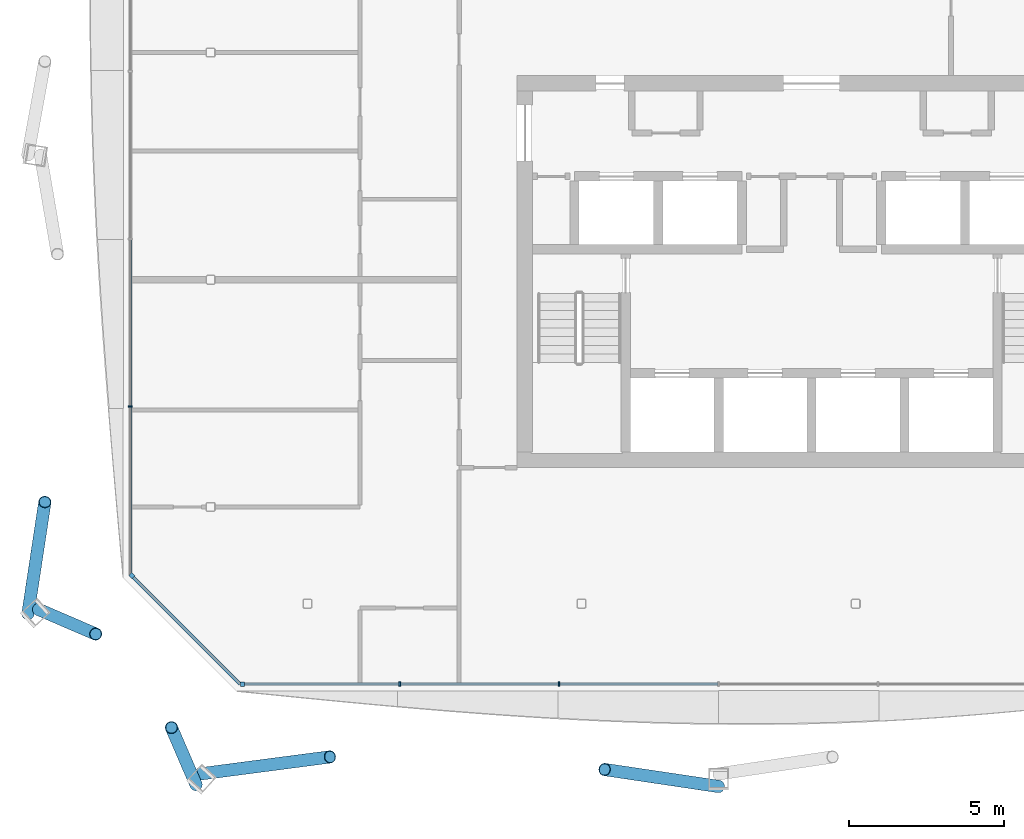
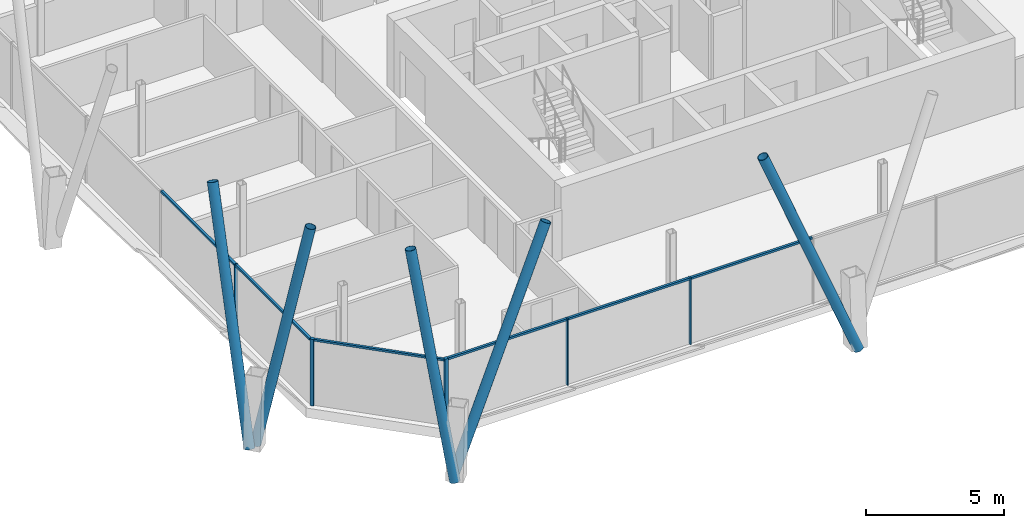
# One storey, part 4 of 18: 16 members, 3 elements without a shape of their own.
"""IFC4 building model written with IfcOpenShell, lengths in metres."""

from ifc_helpers import new_model, si_unit, direction, frame, origin, origin_2d, place, context, subcontext, project, spatial, rectangle, hollow_circle, extrude, material, material_profile, profile_set, type_object, element, aggregate, save


model = new_model("IFC4")

# Units and contexts
model_context = context("Model", 3, precision=1e-05, world=origin(), true_north=direction((0.0, 1.0)))
body_context = subcontext(model_context, "Body", "Model", "MODEL_VIEW")
ifc_project = project(units=[si_unit("LENGTHUNIT", "METRE"), si_unit("AREAUNIT", "SQUARE_METRE"), si_unit("VOLUMEUNIT", "CUBIC_METRE"), si_unit("PLANEANGLEUNIT", "RADIAN"), si_unit("MASSUNIT", "GRAM", prefix="KILO")], contexts=[model_context])

# Site, building, storey
site_placement = place(None, origin())
site = spatial("IfcSite", under=ifc_project, at=site_placement, CompositionType="ELEMENT")
building_placement = place(site_placement, origin())
building = spatial("IfcBuilding", under=site, at=building_placement, Name="Tskaro Facet Tower", CompositionType="ELEMENT")
storey_placement = place(building_placement, frame((0.0, 0.0, 217.199951171875)))
storey = spatial("IfcBuildingStorey", under=building, at=storey_placement, Name="L55", CompositionType="ELEMENT", Elevation=217.199951171875)

# Members
ifc_material_1 = material(Name="Steel S355J2H", Category="steel")
ifc_material_profile_1 = material_profile(ifc_material_1, hollow_circle(Radius=0.203125, WallThickness=0.02001953125, at=origin_2d()), Name="CHS 406.4x20")
ifc_profile_set_1 = profile_set([ifc_material_profile_1], Name="Steel S355J2H")
member_type_1 = type_object("IfcMemberType", Name="CHS 406.4x20 brace", PredefinedType="BRACE", material=ifc_profile_set_1)
member_1_placement = place(storey_placement, frame((-19.719970703125, -21.8818359375, 0.0), z_axis=(0.403949934289, 0.052968144529, 0.913246311929), x_axis=(-0.130012570292, 0.991512345645, 0.0)))
element("IfcMember", 1, at=member_1_placement, inside=storey, type_object=member_type_1, Name="CHS 406.4x20 XB01A/5", PredefinedType="BRACE", context=body_context, shape_type="SweptSolid", body=[
    extrude(hollow_circle(Radius=0.203125, WallThickness=0.02001953125, at=origin_2d()), origin(), (0.0, 0.0, 1.0), 10.34765625),
])
member_2_placement = place(storey_placement, frame((-3.0, -22.2880859375, 0.0), z_axis=(-0.362321032435, 0.053944293842, 0.930490990078), x_axis=(-0.147262127876, -0.9890975006, 0.0)))
element("IfcMember", 2, at=member_2_placement, inside=storey, type_object=member_type_1, Name="CHS 406.4x20 XB01B/5", PredefinedType="BRACE", context=body_context, shape_type="SweptSolid", body=[
    extrude(hollow_circle(Radius=0.203125, WallThickness=0.02001953125, at=origin_2d()), origin(), (0.0, 0.0, 1.0), 10.15576171875),
])
member_3_placement = place(storey_placement, frame((-25.2880859375, -16.719970703125, 0.0), z_axis=(0.054073246754, 0.356536434478, 0.932715312877), x_axis=(-0.988693899866, 0.149947898844, 0.0)))
element("IfcMember", 3, at=member_3_placement, inside=storey, type_object=member_type_1, Name="CHS 406.4x20 XB11B/5", PredefinedType="BRACE", context=body_context, shape_type="SweptSolid", body=[
    extrude(hollow_circle(Radius=0.203125, WallThickness=0.02001953125, at=origin_2d()), origin(), (0.0, 0.0, 1.0), 10.131591796875),
])
for number, where, z_axis, x_axis, name in (
    (4, (-24.94140625, -16.576416015625, 0.0), (0.190630309966, -0.082110284645, 0.978221849111), (0.395593875479, 0.918425547164, 0.0), "CHS 406.4x20 XB12A/5"),
    (5, (-19.86376953125, -22.228759765625, 0.0), (-0.082110284645, 0.190630309966, 0.978221849111), (-0.918425547164, -0.395593875479, 0.0), "CHS 406.4x20 XB12B/5"),
):
    element("IfcMember", number, at=place(storey_placement, frame(where, z_axis=z_axis, x_axis=x_axis)), inside=storey, type_object=member_type_1, Name=name, PredefinedType="BRACE", context=body_context, shape_type="SweptSolid", body=[
        extrude(hollow_circle(Radius=0.203125, WallThickness=0.02001953125, at=origin_2d()), origin(), (0.0, 0.0, 1.0), 9.660400390625),
    ])

# Curtain wall, member
ifc_material_2 = material(Name="Bronze anodised aluminium 6063-T6", Category="aluminium")
curtain_wall_type = type_object("IfcCurtainWallType", Name="Bronze residence curtain wall (FW3)", PredefinedType="NOTDEFINED", material=ifc_material_2)
curtain_wall_1_placement = place(storey_placement, origin())
curtain_wall_1 = element("IfcCurtainWall", 6, at=curtain_wall_1_placement, inside=storey, type_object=curtain_wall_type, Name="FW3 south facet L55", PredefinedType="NOTDEFINED")
ifc_material_profile_2 = material_profile(ifc_material_2, rectangle(XDim=0.139892578125, YDim=0.139892578125, at=origin_2d()), Name="Corner post 140x140")
ifc_profile_set_2 = profile_set([ifc_material_profile_2], Name="Bronze anodised aluminium 6063-T6")
member_type_2 = type_object("IfcMemberType", Name="FW3 bronze corner post 140x140", PredefinedType="MULLION", material=ifc_profile_set_2)
member_4_placement = place(storey_placement, frame((-18.364990234375, -18.985107421875, 0.0), z_axis=(0.0, 0.0, 1.0), x_axis=(1.0, 0.0, 0.0)))
member_4 = element("IfcMember", 7, at=member_4_placement, type_object=member_type_2, Name="FW3 south corner post", PredefinedType="MULLION", context=body_context, shape_type="SweptSolid", body=[
    extrude(rectangle(XDim=0.139892578125, YDim=0.139892578125, at=origin_2d()), origin(), (0.0, 0.0, 1.0), 2.949951171875),
])

curtain_wall_2_placement = place(storey_placement, origin())
curtain_wall_2 = element("IfcCurtainWall", 8, at=curtain_wall_2_placement, inside=storey, type_object=curtain_wall_type, Name="FW3 south-west facet L55", PredefinedType="NOTDEFINED")
member_5_placement = place(storey_placement, frame((-21.935546875, -15.484619140625, 0.0), z_axis=(0.0, 0.0, 1.0), x_axis=(0.707106781187, -0.707106781187, 0.0)))
member_5 = element("IfcMember", 9, at=member_5_placement, type_object=member_type_2, Name="FW3 south-west corner post", PredefinedType="MULLION", context=body_context, shape_type="SweptSolid", body=[
    extrude(rectangle(XDim=0.139892578125, YDim=0.139892578125, at=origin_2d()), origin(), (0.0, 0.0, 1.0), 2.949951171875),
])

# Member
ifc_material_profile_3 = material_profile(ifc_material_2, rectangle(XDim=0.050048828125, YDim=0.139892578125, at=origin_2d()), Name="Mullion 50x140")
ifc_profile_set_3 = profile_set([ifc_material_profile_3], Name="Bronze anodised aluminium 6063-T6")
member_type_3 = type_object("IfcMemberType", Name="FW3 bronze mullion 50x140", PredefinedType="MULLION", material=ifc_profile_set_3)
member_6_placement = place(storey_placement, frame((-13.2900390625, -18.985107421875, 0.0), z_axis=(0.0, 0.0, 1.0), x_axis=(1.0, 0.0, 0.0)))
member_6 = element("IfcMember", 10, at=member_6_placement, type_object=member_type_3, Name="FW3 south mullion 1", PredefinedType="MULLION", context=body_context, shape_type="SweptSolid", body=[
    extrude(rectangle(XDim=0.050048828125, YDim=0.139892578125, at=origin_2d()), origin(), (0.0, 0.0, 1.0), 2.949951171875),
])

member_7_placement = place(storey_placement, frame((-8.14501953125, -18.985107421875, 0.0), z_axis=(0.0, 0.0, 1.0), x_axis=(1.0, 0.0, 0.0)))
member_7 = element("IfcMember", 11, at=member_7_placement, type_object=member_type_3, Name="FW3 south mullion 2", PredefinedType="MULLION", context=body_context, shape_type="SweptSolid", body=[
    extrude(rectangle(XDim=0.050048828125, YDim=0.139892578125, at=origin_2d()), origin(), (0.0, 0.0, 1.0), 2.949951171875),
])

# Curtain wall, member
curtain_wall_3_placement = place(storey_placement, origin())
curtain_wall_3 = element("IfcCurtainWall", 12, at=curtain_wall_3_placement, inside=storey, type_object=curtain_wall_type, Name="FW3 west facet L55", PredefinedType="NOTDEFINED")
member_8_placement = place(storey_placement, frame((-21.985107421875, -10.026123046875, 0.0), z_axis=(0.0, 0.0, 1.0), x_axis=(0.0, -1.0, 0.0)))
member_8 = element("IfcMember", 13, at=member_8_placement, type_object=member_type_3, Name="FW3 west mullion 4", PredefinedType="MULLION", context=body_context, shape_type="SweptSolid", body=[
    extrude(rectangle(XDim=0.050048828125, YDim=0.139892578125, at=origin_2d()), origin(), (0.0, 0.0, 1.0), 2.949951171875),
])

# Member
ifc_material_profile_4 = material_profile(ifc_material_2, rectangle(XDim=0.10009765625, YDim=0.090087890625, at=origin_2d()), Name="Transom 100x90")
ifc_profile_set_4 = profile_set([ifc_material_profile_4], Name="Bronze anodised aluminium 6063-T6")
member_type_4 = type_object("IfcMemberType", Name="FW3 bronze transom 100x90", PredefinedType="USERDEFINED", material=ifc_profile_set_4)
member_9_placement = place(storey_placement, frame((-18.294921875, -18.985107421875, 2.905029296875), z_axis=(1.0, 0.0, 0.0), x_axis=(0.0, 1.0, 0.0)))
member_9 = element("IfcMember", 14, at=member_9_placement, type_object=member_type_4, Name="FW3 south transom 1.1", ObjectType="TRANSOM", PredefinedType="USERDEFINED", context=body_context, shape_type="SweptSolid", body=[
    extrude(rectangle(XDim=0.10009765625, YDim=0.090087890625, at=origin_2d()), origin(), (0.0, 0.0, 1.0), 4.97998046875),
])

member_10_placement = place(storey_placement, frame((-13.264892578125, -18.985107421875, 2.905029296875), z_axis=(1.0, 0.0, 0.0), x_axis=(0.0, 1.0, 0.0)))
member_10 = element("IfcMember", 15, at=member_10_placement, type_object=member_type_4, Name="FW3 south transom 2.1", ObjectType="TRANSOM", PredefinedType="USERDEFINED", context=body_context, shape_type="SweptSolid", body=[
    extrude(rectangle(XDim=0.10009765625, YDim=0.090087890625, at=origin_2d()), origin(), (0.0, 0.0, 1.0), 5.094970703125),
])

member_11_placement = place(storey_placement, frame((-8.1201171875, -18.985107421875, 2.905029296875), z_axis=(1.0, 0.0, 0.0), x_axis=(0.0, 1.0, 0.0)))
member_11 = element("IfcMember", 16, at=member_11_placement, type_object=member_type_4, Name="FW3 south transom 3.1", ObjectType="TRANSOM", PredefinedType="USERDEFINED", context=body_context, shape_type="SweptSolid", body=[
    extrude(rectangle(XDim=0.10009765625, YDim=0.090087890625, at=origin_2d()), origin(), (0.0, 0.0, 1.0), 5.09521484375),
])

aggregate(curtain_wall_1, [member_4, member_6, member_7, member_9, member_10, member_11])

member_12_placement = place(storey_placement, frame((-21.985107421875, -4.642333984375, 2.905029296875), z_axis=(0.0, -1.0, 0.0), x_axis=(1.0, 0.0, 0.0)))
member_12 = element("IfcMember", 17, at=member_12_placement, type_object=member_type_4, Name="FW3 west transom 4.1", ObjectType="TRANSOM", PredefinedType="USERDEFINED", context=body_context, shape_type="SweptSolid", body=[
    extrude(rectangle(XDim=0.10009765625, YDim=0.090087890625, at=origin_2d()), origin(), (0.0, 0.0, 1.0), 5.35888671875),
])

member_13_placement = place(storey_placement, frame((-21.985107421875, -10.05126953125, 2.905029296875), z_axis=(0.0, -1.0, 0.0), x_axis=(1.0, 0.0, 0.0)))
member_13 = element("IfcMember", 18, at=member_13_placement, type_object=member_type_4, Name="FW3 west transom 5.1", ObjectType="TRANSOM", PredefinedType="USERDEFINED", context=body_context, shape_type="SweptSolid", body=[
    extrude(rectangle(XDim=0.10009765625, YDim=0.090087890625, at=origin_2d()), origin(), (0.0, 0.0, 1.0), 5.3837890625),
])

aggregate(curtain_wall_3, [member_8, member_12, member_13])

member_14_placement = place(storey_placement, frame((-21.885986328125, -15.533935546875, 2.905029296875), z_axis=(0.707081769008, -0.70713179248, 0.0), x_axis=(0.70713179248, 0.707081769008, 0.0)))
member_14 = element("IfcMember", 19, at=member_14_placement, type_object=member_type_4, Name="FW3 south-west transom 1.1", ObjectType="TRANSOM", PredefinedType="USERDEFINED", context=body_context, shape_type="SweptSolid", body=[
    extrude(rectangle(XDim=0.10009765625, YDim=0.090087890625, at=origin_2d()), origin(), (0.0, 0.0, 1.0), 4.880615234375),
])

aggregate(curtain_wall_2, [member_5, member_14])

save(model, "model.ifc")
